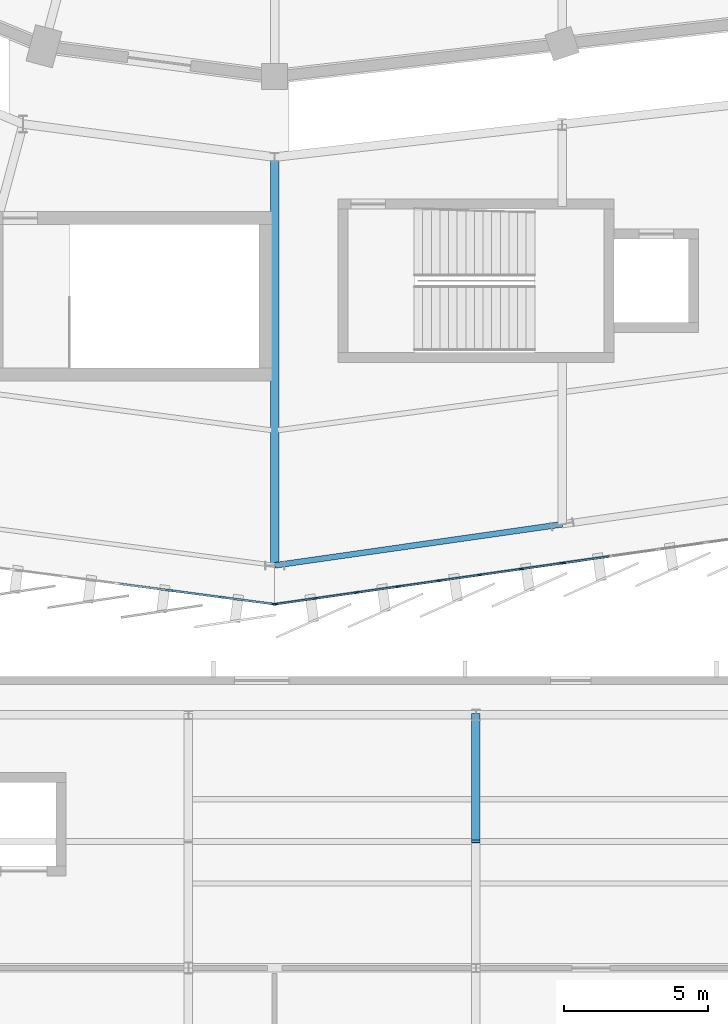
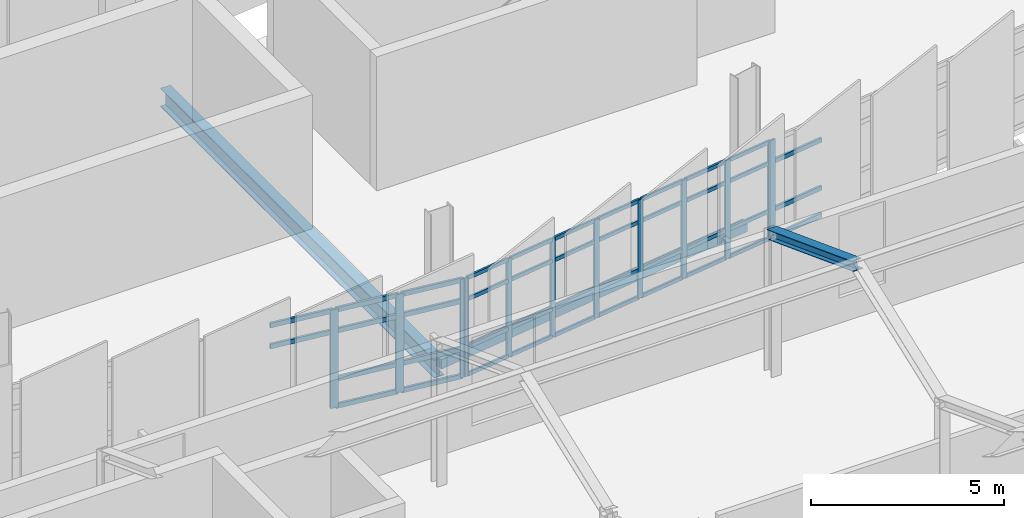
# One storey, part 20 of 87: 53 members, 3 beams, 3 elements without a shape of their own.
"""IFC4 building model written with IfcOpenShell, lengths in metres."""

from ifc_helpers import new_model, si_unit, direction, frame, origin, origin_2d, place, context, subcontext, project, spatial, rectangle, hollow_rectangle, i_section, extrude, material, layer, layer_set, material_profile, profile_set, type_object, element, aggregate, save


model = new_model("IFC4")

# Units and contexts
model_context = context("Model", 3, precision=1e-05, world=origin(), true_north=direction((0.0, 1.0)))
body_context = subcontext(model_context, "Body", "Model", "MODEL_VIEW")
ifc_project = project(units=[si_unit("LENGTHUNIT", "METRE"), si_unit("AREAUNIT", "SQUARE_METRE"), si_unit("VOLUMEUNIT", "CUBIC_METRE"), si_unit("PLANEANGLEUNIT", "RADIAN"), si_unit("MASSUNIT", "GRAM", prefix="KILO")], contexts=[model_context])

# Site, building, storey
site_placement = place(None, origin())
site = spatial("IfcSite", under=ifc_project, at=site_placement, CompositionType="ELEMENT")
building_placement = place(site_placement, origin())
building = spatial("IfcBuilding", under=site, at=building_placement, Name="Sohan Crest Arena", CompositionType="ELEMENT")
storey_placement = place(building_placement, frame((0.0, 0.0, 18.0)))
storey = spatial("IfcBuildingStorey", under=building, at=storey_placement, Name="L04", CompositionType="ELEMENT", Elevation=18.0)

# Curtain wall, members
ifc_material_1 = material(Name="Thermally broken anodised aluminium", Category="aluminium")
ifc_layer_1 = layer(ifc_material_1, 0.179931640625, Name="Thermally broken anodised aluminium")
ifc_layer_set_1 = layer_set([ifc_layer_1], Name="Thermally broken anodised aluminium")
curtain_wall_type_1 = type_object("IfcCurtainWallType", Name="ARC-CW01", PredefinedType="NOTDEFINED", material=ifc_layer_set_1)
curtain_wall_1_placement = place(storey_placement, origin())
curtain_wall_1 = element("IfcCurtainWall", 1, at=curtain_wall_1_placement, inside=storey, type_object=curtain_wall_type_1, Name="Unitised curtain wall CW-124", PredefinedType="NOTDEFINED")
ifc_material_profile_1 = material_profile(ifc_material_1, rectangle(XDim=0.06005859375, YDim=0.159912109375, at=origin_2d()), Name="ALU-MULL 60x160")
ifc_profile_set_1 = profile_set([ifc_material_profile_1], Name="Thermally broken anodised aluminium")
member_type_1 = type_object("IfcMemberType", Name="ARC-CW-ML01", PredefinedType="MULLION", material=ifc_profile_set_1)
member_1_placement = place(storey_placement, frame((98.02978515625, 28.654296875, 0.0), z_axis=(0.0, 0.0, 1.0), x_axis=(-0.141462933734, 0.989943553128, 0.0)))
member_1 = element("IfcMember", 2, at=member_1_placement, type_object=member_type_1, Name="CW-124 mullion 1", PredefinedType="MULLION", context=body_context, shape_type="SweptSolid", body=[
    extrude(rectangle(XDim=0.06005859375, YDim=0.159912109375, at=origin_2d()), origin(), (0.0, 0.0, 1.0), 3.1201171875),
])
member_2_placement = place(storey_placement, frame((99.428466796875, 28.854248046875, 0.0), z_axis=(0.0, 0.0, 1.0), x_axis=(-0.141462933734, 0.989943553128, 0.0)))
member_2 = element("IfcMember", 3, at=member_2_placement, type_object=member_type_1, Name="CW-124 mullion 2", PredefinedType="MULLION", context=body_context, shape_type="SweptSolid", body=[
    extrude(rectangle(XDim=0.06005859375, YDim=0.159912109375, at=origin_2d()), origin(), (0.0, 0.0, 1.0), 3.1201171875),
])
member_3_placement = place(storey_placement, frame((100.857177734375, 29.058349609375, 0.0), z_axis=(0.0, 0.0, 1.0), x_axis=(-0.141462933734, 0.989943553128, 0.0)))
member_3 = element("IfcMember", 4, at=member_3_placement, type_object=member_type_1, Name="CW-124 mullion 3", PredefinedType="MULLION", context=body_context, shape_type="SweptSolid", body=[
    extrude(rectangle(XDim=0.06005859375, YDim=0.159912109375, at=origin_2d()), origin(), (0.0, 0.0, 1.0), 3.1201171875),
])
member_4_placement = place(storey_placement, frame((102.28564453125, 29.262451171875, 0.0), z_axis=(0.0, 0.0, 1.0), x_axis=(-0.141462933734, 0.989943553128, 0.0)))
member_4 = element("IfcMember", 5, at=member_4_placement, type_object=member_type_1, Name="CW-124 mullion 4", PredefinedType="MULLION", context=body_context, shape_type="SweptSolid", body=[
    extrude(rectangle(XDim=0.06005859375, YDim=0.159912109375, at=origin_2d()), origin(), (0.0, 0.0, 1.0), 3.1201171875),
])
member_5_placement = place(storey_placement, frame((103.71435546875, 29.466552734375, 0.0), z_axis=(0.0, 0.0, 1.0), x_axis=(-0.141462933734, 0.989943553128, 0.0)))
member_5 = element("IfcMember", 6, at=member_5_placement, type_object=member_type_1, Name="CW-124 mullion 5", PredefinedType="MULLION", context=body_context, shape_type="SweptSolid", body=[
    extrude(rectangle(XDim=0.06005859375, YDim=0.159912109375, at=origin_2d()), origin(), (0.0, 0.0, 1.0), 3.1201171875),
])
member_6_placement = place(storey_placement, frame((105.142822265625, 29.670654296875, 0.0), z_axis=(0.0, 0.0, 1.0), x_axis=(-0.141462933734, 0.989943553128, 0.0)))
member_6 = element("IfcMember", 7, at=member_6_placement, type_object=member_type_1, Name="CW-124 mullion 6", PredefinedType="MULLION", context=body_context, shape_type="SweptSolid", body=[
    extrude(rectangle(XDim=0.06005859375, YDim=0.159912109375, at=origin_2d()), origin(), (0.0, 0.0, 1.0), 3.1201171875),
])
member_7_placement = place(storey_placement, frame((106.571533203125, 29.874755859375, 0.0), z_axis=(0.0, 0.0, 1.0), x_axis=(-0.141462933734, 0.989943553128, 0.0)))
member_7 = element("IfcMember", 8, at=member_7_placement, type_object=member_type_1, Name="CW-124 mullion 7", PredefinedType="MULLION", context=body_context, shape_type="SweptSolid", body=[
    extrude(rectangle(XDim=0.06005859375, YDim=0.159912109375, at=origin_2d()), origin(), (0.0, 0.0, 1.0), 3.1201171875),
])
member_8_placement = place(storey_placement, frame((107.97021484375, 30.07470703125, 0.0), z_axis=(0.0, 0.0, 1.0), x_axis=(-0.141462933734, 0.989943553128, 0.0)))
member_8 = element("IfcMember", 9, at=member_8_placement, type_object=member_type_1, Name="CW-124 mullion 8", PredefinedType="MULLION", context=body_context, shape_type="SweptSolid", body=[
    extrude(rectangle(XDim=0.06005859375, YDim=0.159912109375, at=origin_2d()), origin(), (0.0, 0.0, 1.0), 3.1201171875),
])

# Curtain wall, member
ifc_layer_2 = layer(ifc_material_1, 0.199951171875, Name="Thermally broken anodised aluminium")
ifc_layer_set_2 = layer_set([ifc_layer_2], Name="Thermally broken anodised aluminium")
curtain_wall_type_2 = type_object("IfcCurtainWallType", Name="ARC-CW02", PredefinedType="NOTDEFINED", material=ifc_layer_set_2)
curtain_wall_2_placement = place(storey_placement, origin())
curtain_wall_2 = element("IfcCurtainWall", 10, at=curtain_wall_2_placement, inside=storey, type_object=curtain_wall_type_2, Name="Unitised curtain wall CW-125", PredefinedType="NOTDEFINED")
ifc_material_profile_2 = material_profile(ifc_material_1, rectangle(XDim=0.06494140625, YDim=0.179931640625, at=origin_2d()), Name="ALU-MULL 65x180")
ifc_profile_set_2 = profile_set([ifc_material_profile_2], Name="Thermally broken anodised aluminium")
member_type_2 = type_object("IfcMemberType", Name="ARC-CW-ML02", PredefinedType="MULLION", material=ifc_profile_set_2)
member_9_placement = place(storey_placement, frame((108.0322265625, 30.08349609375, 0.0), z_axis=(0.0, 0.0, 1.0), x_axis=(-0.141365918403, 0.989957411768, 0.0)))
member_9 = element("IfcMember", 11, at=member_9_placement, type_object=member_type_2, Name="CW-125 mullion 1", PredefinedType="MULLION", context=body_context, shape_type="SweptSolid", body=[
    extrude(rectangle(XDim=0.06494140625, YDim=0.179931640625, at=origin_2d()), origin(), (0.0, 0.0, 1.0), 3.1201171875),
])

# Curtain wall, members
ifc_layer_3 = layer(ifc_material_1, 0.2099609375, Name="Thermally broken anodised aluminium")
ifc_layer_set_3 = layer_set([ifc_layer_3], Name="Thermally broken anodised aluminium")
curtain_wall_type_3 = type_object("IfcCurtainWallType", Name="ARC-CW06", PredefinedType="NOTDEFINED", material=ifc_layer_set_3)
curtain_wall_3_placement = place(storey_placement, origin())
curtain_wall_3 = element("IfcCurtainWall", 12, at=curtain_wall_3_placement, inside=storey, type_object=curtain_wall_type_3, Name="Unitised curtain wall CW-123", PredefinedType="NOTDEFINED")
ifc_material_profile_3 = material_profile(ifc_material_1, rectangle(XDim=0.074951171875, YDim=0.219970703125, at=origin_2d()), Name="ALU-MULL 75x220")
ifc_profile_set_3 = profile_set([ifc_material_profile_3], Name="Thermally broken anodised aluminium")
member_type_3 = type_object("IfcMemberType", Name="ARC-CW-ML04", PredefinedType="MULLION", material=ifc_profile_set_3)
member_10_placement = place(storey_placement, frame((94.3505859375, 29.130615234375, 0.0), z_axis=(0.0, 0.0, 1.0), x_axis=(0.130556913275, 0.991440816386, 0.0)))
member_10 = element("IfcMember", 13, at=member_10_placement, type_object=member_type_3, Name="CW-123 mullion 6", PredefinedType="MULLION", context=body_context, shape_type="SweptSolid", body=[
    extrude(rectangle(XDim=0.074951171875, YDim=0.219970703125, at=origin_2d()), origin(), (0.0, 0.0, 1.0), 3.1201171875),
])
member_11_placement = place(storey_placement, frame((96.17529296875, 28.890380859375, 0.0), z_axis=(0.0, 0.0, 1.0), x_axis=(0.130556913275, 0.991440816386, 0.0)))
member_11 = element("IfcMember", 14, at=member_11_placement, type_object=member_type_3, Name="CW-123 mullion 7", PredefinedType="MULLION", context=body_context, shape_type="SweptSolid", body=[
    extrude(rectangle(XDim=0.074951171875, YDim=0.219970703125, at=origin_2d()), origin(), (0.0, 0.0, 1.0), 3.1201171875),
])
member_12_placement = place(storey_placement, frame((97.962890625, 28.65478515625, 0.0), z_axis=(0.0, 0.0, 1.0), x_axis=(0.130556913275, 0.991440816386, 0.0)))
member_12 = element("IfcMember", 15, at=member_12_placement, type_object=member_type_3, Name="CW-123 mullion 8", PredefinedType="MULLION", context=body_context, shape_type="SweptSolid", body=[
    extrude(rectangle(XDim=0.074951171875, YDim=0.219970703125, at=origin_2d()), origin(), (0.0, 0.0, 1.0), 3.1201171875),
])

# Member
ifc_material_profile_4 = material_profile(ifc_material_1, rectangle(XDim=0.06005859375, YDim=0.1201171875, at=origin_2d()), Name="ALU-TRAN 60x120")
ifc_profile_set_4 = profile_set([ifc_material_profile_4], Name="Thermally broken anodised aluminium")
member_type_4 = type_object("IfcMemberType", Name="ARC-CW-TR01", PredefinedType="USERDEFINED", material=ifc_profile_set_4)
member_13_placement = place(storey_placement, frame((98.059326171875, 28.658447265625, 0.030029296875), z_axis=(0.989945885007, 0.141446614515, 0.0), x_axis=(-0.141446614515, 0.989945885007, 0.0)))
member_13 = element("IfcMember", 16, at=member_13_placement, type_object=member_type_4, Name="CW-124 transom 1.1", ObjectType="TRANSOM", PredefinedType="USERDEFINED", context=body_context, shape_type="SweptSolid", body=[
    extrude(rectangle(XDim=0.06005859375, YDim=0.1201171875, at=origin_2d()), origin(), (0.0, 0.0, 1.0), 1.353271484375),
])

member_14_placement = place(storey_placement, frame((98.059326171875, 28.658447265625, 0.89990234375), z_axis=(0.989945885007, 0.141446614515, 0.0), x_axis=(-0.141446614515, 0.989945885007, 0.0)))
member_14 = element("IfcMember", 17, at=member_14_placement, type_object=member_type_4, Name="CW-124 transom 1.2", ObjectType="TRANSOM", PredefinedType="USERDEFINED", context=body_context, shape_type="SweptSolid", body=[
    extrude(rectangle(XDim=0.06005859375, YDim=0.1201171875, at=origin_2d()), origin(), (0.0, 0.0, 1.0), 1.353271484375),
])

member_15_placement = place(storey_placement, frame((98.059326171875, 28.658447265625, 2.419921875), z_axis=(0.989945885007, 0.141446614515, 0.0), x_axis=(-0.141446614515, 0.989945885007, 0.0)))
member_15 = element("IfcMember", 18, at=member_15_placement, type_object=member_type_4, Name="CW-124 transom 1.3", ObjectType="TRANSOM", PredefinedType="USERDEFINED", context=body_context, shape_type="SweptSolid", body=[
    extrude(rectangle(XDim=0.06005859375, YDim=0.1201171875, at=origin_2d()), origin(), (0.0, 0.0, 1.0), 1.353271484375),
])

member_16_placement = place(storey_placement, frame((98.059326171875, 28.658447265625, 3.090087890625), z_axis=(0.989945885007, 0.141446614515, 0.0), x_axis=(-0.141446614515, 0.989945885007, 0.0)))
member_16 = element("IfcMember", 19, at=member_16_placement, type_object=member_type_4, Name="CW-124 transom 1.4", ObjectType="TRANSOM", PredefinedType="USERDEFINED", context=body_context, shape_type="SweptSolid", body=[
    extrude(rectangle(XDim=0.06005859375, YDim=0.1201171875, at=origin_2d()), origin(), (0.0, 0.0, 1.0), 1.353271484375),
])

member_17_placement = place(storey_placement, frame((99.458251953125, 28.8583984375, 0.030029296875), z_axis=(0.989953023856, 0.141396642673, 0.0), x_axis=(-0.141396642673, 0.989953023856, 0.0)))
member_17 = element("IfcMember", 20, at=member_17_placement, type_object=member_type_4, Name="CW-124 transom 2.1", ObjectType="TRANSOM", PredefinedType="USERDEFINED", context=body_context, shape_type="SweptSolid", body=[
    extrude(rectangle(XDim=0.06005859375, YDim=0.1201171875, at=origin_2d()), origin(), (0.0, 0.0, 1.0), 1.383056640625),
])

member_18_placement = place(storey_placement, frame((99.458251953125, 28.8583984375, 0.89990234375), z_axis=(0.989953023856, 0.141396642673, 0.0), x_axis=(-0.141396642673, 0.989953023856, 0.0)))
member_18 = element("IfcMember", 21, at=member_18_placement, type_object=member_type_4, Name="CW-124 transom 2.2", ObjectType="TRANSOM", PredefinedType="USERDEFINED", context=body_context, shape_type="SweptSolid", body=[
    extrude(rectangle(XDim=0.06005859375, YDim=0.1201171875, at=origin_2d()), origin(), (0.0, 0.0, 1.0), 1.383056640625),
])

member_19_placement = place(storey_placement, frame((99.458251953125, 28.8583984375, 2.419921875), z_axis=(0.989953023856, 0.141396642673, 0.0), x_axis=(-0.141396642673, 0.989953023856, 0.0)))
member_19 = element("IfcMember", 22, at=member_19_placement, type_object=member_type_4, Name="CW-124 transom 2.3", ObjectType="TRANSOM", PredefinedType="USERDEFINED", context=body_context, shape_type="SweptSolid", body=[
    extrude(rectangle(XDim=0.06005859375, YDim=0.1201171875, at=origin_2d()), origin(), (0.0, 0.0, 1.0), 1.383056640625),
])

member_20_placement = place(storey_placement, frame((99.458251953125, 28.8583984375, 3.090087890625), z_axis=(0.989953023856, 0.141396642673, 0.0), x_axis=(-0.141396642673, 0.989953023856, 0.0)))
member_20 = element("IfcMember", 23, at=member_20_placement, type_object=member_type_4, Name="CW-124 transom 2.4", ObjectType="TRANSOM", PredefinedType="USERDEFINED", context=body_context, shape_type="SweptSolid", body=[
    extrude(rectangle(XDim=0.06005859375, YDim=0.1201171875, at=origin_2d()), origin(), (0.0, 0.0, 1.0), 1.383056640625),
])

member_21_placement = place(storey_placement, frame((100.886962890625, 29.0625, 0.030029296875), z_axis=(0.989928300068, 0.141569632071, 0.0), x_axis=(-0.141569632071, 0.989928300068, 0.0)))
member_21 = element("IfcMember", 24, at=member_21_placement, type_object=member_type_4, Name="CW-124 transom 3.1", ObjectType="TRANSOM", PredefinedType="USERDEFINED", context=body_context, shape_type="SweptSolid", body=[
    extrude(rectangle(XDim=0.06005859375, YDim=0.1201171875, at=origin_2d()), origin(), (0.0, 0.0, 1.0), 1.383056640625),
])

member_22_placement = place(storey_placement, frame((100.886962890625, 29.0625, 0.89990234375), z_axis=(0.989928300068, 0.141569632071, 0.0), x_axis=(-0.141569632071, 0.989928300068, 0.0)))
member_22 = element("IfcMember", 25, at=member_22_placement, type_object=member_type_4, Name="CW-124 transom 3.2", ObjectType="TRANSOM", PredefinedType="USERDEFINED", context=body_context, shape_type="SweptSolid", body=[
    extrude(rectangle(XDim=0.06005859375, YDim=0.1201171875, at=origin_2d()), origin(), (0.0, 0.0, 1.0), 1.383056640625),
])

member_23_placement = place(storey_placement, frame((100.886962890625, 29.0625, 2.419921875), z_axis=(0.989928300068, 0.141569632071, 0.0), x_axis=(-0.141569632071, 0.989928300068, 0.0)))
member_23 = element("IfcMember", 26, at=member_23_placement, type_object=member_type_4, Name="CW-124 transom 3.3", ObjectType="TRANSOM", PredefinedType="USERDEFINED", context=body_context, shape_type="SweptSolid", body=[
    extrude(rectangle(XDim=0.06005859375, YDim=0.1201171875, at=origin_2d()), origin(), (0.0, 0.0, 1.0), 1.383056640625),
])

member_24_placement = place(storey_placement, frame((100.886962890625, 29.0625, 3.090087890625), z_axis=(0.989928300068, 0.141569632071, 0.0), x_axis=(-0.141569632071, 0.989928300068, 0.0)))
member_24 = element("IfcMember", 27, at=member_24_placement, type_object=member_type_4, Name="CW-124 transom 3.4", ObjectType="TRANSOM", PredefinedType="USERDEFINED", context=body_context, shape_type="SweptSolid", body=[
    extrude(rectangle(XDim=0.06005859375, YDim=0.1201171875, at=origin_2d()), origin(), (0.0, 0.0, 1.0), 1.383056640625),
])

member_25_placement = place(storey_placement, frame((102.3154296875, 29.2666015625, 0.030029296875), z_axis=(0.989928300068, 0.141569632071, 0.0), x_axis=(-0.141569632071, 0.989928300068, 0.0)))
member_25 = element("IfcMember", 28, at=member_25_placement, type_object=member_type_4, Name="CW-124 transom 4.1", ObjectType="TRANSOM", PredefinedType="USERDEFINED", context=body_context, shape_type="SweptSolid", body=[
    extrude(rectangle(XDim=0.06005859375, YDim=0.1201171875, at=origin_2d()), origin(), (0.0, 0.0, 1.0), 1.383056640625),
])

member_26_placement = place(storey_placement, frame((102.3154296875, 29.2666015625, 0.89990234375), z_axis=(0.989928300068, 0.141569632071, 0.0), x_axis=(-0.141569632071, 0.989928300068, 0.0)))
member_26 = element("IfcMember", 29, at=member_26_placement, type_object=member_type_4, Name="CW-124 transom 4.2", ObjectType="TRANSOM", PredefinedType="USERDEFINED", context=body_context, shape_type="SweptSolid", body=[
    extrude(rectangle(XDim=0.06005859375, YDim=0.1201171875, at=origin_2d()), origin(), (0.0, 0.0, 1.0), 1.383056640625),
])

member_27_placement = place(storey_placement, frame((102.3154296875, 29.2666015625, 2.419921875), z_axis=(0.989928300068, 0.141569632071, 0.0), x_axis=(-0.141569632071, 0.989928300068, 0.0)))
member_27 = element("IfcMember", 30, at=member_27_placement, type_object=member_type_4, Name="CW-124 transom 4.3", ObjectType="TRANSOM", PredefinedType="USERDEFINED", context=body_context, shape_type="SweptSolid", body=[
    extrude(rectangle(XDim=0.06005859375, YDim=0.1201171875, at=origin_2d()), origin(), (0.0, 0.0, 1.0), 1.383056640625),
])

member_28_placement = place(storey_placement, frame((102.3154296875, 29.2666015625, 3.090087890625), z_axis=(0.989928300068, 0.141569632071, 0.0), x_axis=(-0.141569632071, 0.989928300068, 0.0)))
member_28 = element("IfcMember", 31, at=member_28_placement, type_object=member_type_4, Name="CW-124 transom 4.4", ObjectType="TRANSOM", PredefinedType="USERDEFINED", context=body_context, shape_type="SweptSolid", body=[
    extrude(rectangle(XDim=0.06005859375, YDim=0.1201171875, at=origin_2d()), origin(), (0.0, 0.0, 1.0), 1.383056640625),
])

member_29_placement = place(storey_placement, frame((103.743896484375, 29.470703125, 0.030029296875), z_axis=(0.989928300068, 0.141569632071, 0.0), x_axis=(-0.141569632071, 0.989928300068, 0.0)))
member_29 = element("IfcMember", 32, at=member_29_placement, type_object=member_type_4, Name="CW-124 transom 5.1", ObjectType="TRANSOM", PredefinedType="USERDEFINED", context=body_context, shape_type="SweptSolid", body=[
    extrude(rectangle(XDim=0.06005859375, YDim=0.1201171875, at=origin_2d()), origin(), (0.0, 0.0, 1.0), 1.383056640625),
])

member_30_placement = place(storey_placement, frame((103.743896484375, 29.470703125, 0.89990234375), z_axis=(0.989928300068, 0.141569632071, 0.0), x_axis=(-0.141569632071, 0.989928300068, 0.0)))
member_30 = element("IfcMember", 33, at=member_30_placement, type_object=member_type_4, Name="CW-124 transom 5.2", ObjectType="TRANSOM", PredefinedType="USERDEFINED", context=body_context, shape_type="SweptSolid", body=[
    extrude(rectangle(XDim=0.06005859375, YDim=0.1201171875, at=origin_2d()), origin(), (0.0, 0.0, 1.0), 1.383056640625),
])

member_31_placement = place(storey_placement, frame((103.743896484375, 29.470703125, 2.419921875), z_axis=(0.989928300068, 0.141569632071, 0.0), x_axis=(-0.141569632071, 0.989928300068, 0.0)))
member_31 = element("IfcMember", 34, at=member_31_placement, type_object=member_type_4, Name="CW-124 transom 5.3", ObjectType="TRANSOM", PredefinedType="USERDEFINED", context=body_context, shape_type="SweptSolid", body=[
    extrude(rectangle(XDim=0.06005859375, YDim=0.1201171875, at=origin_2d()), origin(), (0.0, 0.0, 1.0), 1.383056640625),
])

member_32_placement = place(storey_placement, frame((103.743896484375, 29.470703125, 3.090087890625), z_axis=(0.989928300068, 0.141569632071, 0.0), x_axis=(-0.141569632071, 0.989928300068, 0.0)))
member_32 = element("IfcMember", 35, at=member_32_placement, type_object=member_type_4, Name="CW-124 transom 5.4", ObjectType="TRANSOM", PredefinedType="USERDEFINED", context=body_context, shape_type="SweptSolid", body=[
    extrude(rectangle(XDim=0.06005859375, YDim=0.1201171875, at=origin_2d()), origin(), (0.0, 0.0, 1.0), 1.383056640625),
])

member_33_placement = place(storey_placement, frame((105.172607421875, 29.675048828125, 0.030029296875), z_axis=(0.989953023856, 0.141396642673, 0.0), x_axis=(-0.141396642673, 0.989953023856, 0.0)))
member_33 = element("IfcMember", 36, at=member_33_placement, type_object=member_type_4, Name="CW-124 transom 6.1", ObjectType="TRANSOM", PredefinedType="USERDEFINED", context=body_context, shape_type="SweptSolid", body=[
    extrude(rectangle(XDim=0.06005859375, YDim=0.1201171875, at=origin_2d()), origin(), (0.0, 0.0, 1.0), 1.383056640625),
])

member_34_placement = place(storey_placement, frame((105.172607421875, 29.675048828125, 0.89990234375), z_axis=(0.989953023856, 0.141396642673, 0.0), x_axis=(-0.141396642673, 0.989953023856, 0.0)))
member_34 = element("IfcMember", 37, at=member_34_placement, type_object=member_type_4, Name="CW-124 transom 6.2", ObjectType="TRANSOM", PredefinedType="USERDEFINED", context=body_context, shape_type="SweptSolid", body=[
    extrude(rectangle(XDim=0.06005859375, YDim=0.1201171875, at=origin_2d()), origin(), (0.0, 0.0, 1.0), 1.383056640625),
])

member_35_placement = place(storey_placement, frame((105.172607421875, 29.675048828125, 2.419921875), z_axis=(0.989953023856, 0.141396642673, 0.0), x_axis=(-0.141396642673, 0.989953023856, 0.0)))
member_35 = element("IfcMember", 38, at=member_35_placement, type_object=member_type_4, Name="CW-124 transom 6.3", ObjectType="TRANSOM", PredefinedType="USERDEFINED", context=body_context, shape_type="SweptSolid", body=[
    extrude(rectangle(XDim=0.06005859375, YDim=0.1201171875, at=origin_2d()), origin(), (0.0, 0.0, 1.0), 1.383056640625),
])

member_36_placement = place(storey_placement, frame((105.172607421875, 29.675048828125, 3.090087890625), z_axis=(0.989953023856, 0.141396642673, 0.0), x_axis=(-0.141396642673, 0.989953023856, 0.0)))
member_36 = element("IfcMember", 39, at=member_36_placement, type_object=member_type_4, Name="CW-124 transom 6.4", ObjectType="TRANSOM", PredefinedType="USERDEFINED", context=body_context, shape_type="SweptSolid", body=[
    extrude(rectangle(XDim=0.06005859375, YDim=0.1201171875, at=origin_2d()), origin(), (0.0, 0.0, 1.0), 1.383056640625),
])

member_37_placement = place(storey_placement, frame((106.60107421875, 29.879150390625, 0.030029296875), z_axis=(0.989945885007, 0.141446614515, 0.0), x_axis=(-0.141446614515, 0.989945885007, 0.0)))
member_37 = element("IfcMember", 40, at=member_37_placement, type_object=member_type_4, Name="CW-124 transom 7.1", ObjectType="TRANSOM", PredefinedType="USERDEFINED", context=body_context, shape_type="SweptSolid", body=[
    extrude(rectangle(XDim=0.06005859375, YDim=0.1201171875, at=origin_2d()), origin(), (0.0, 0.0, 1.0), 1.353271484375),
])

member_38_placement = place(storey_placement, frame((106.60107421875, 29.879150390625, 0.89990234375), z_axis=(0.989945885007, 0.141446614515, 0.0), x_axis=(-0.141446614515, 0.989945885007, 0.0)))
member_38 = element("IfcMember", 41, at=member_38_placement, type_object=member_type_4, Name="CW-124 transom 7.2", ObjectType="TRANSOM", PredefinedType="USERDEFINED", context=body_context, shape_type="SweptSolid", body=[
    extrude(rectangle(XDim=0.06005859375, YDim=0.1201171875, at=origin_2d()), origin(), (0.0, 0.0, 1.0), 1.353271484375),
])

member_39_placement = place(storey_placement, frame((106.60107421875, 29.879150390625, 2.419921875), z_axis=(0.989945885007, 0.141446614515, 0.0), x_axis=(-0.141446614515, 0.989945885007, 0.0)))
member_39 = element("IfcMember", 42, at=member_39_placement, type_object=member_type_4, Name="CW-124 transom 7.3", ObjectType="TRANSOM", PredefinedType="USERDEFINED", context=body_context, shape_type="SweptSolid", body=[
    extrude(rectangle(XDim=0.06005859375, YDim=0.1201171875, at=origin_2d()), origin(), (0.0, 0.0, 1.0), 1.353271484375),
])

member_40_placement = place(storey_placement, frame((106.60107421875, 29.879150390625, 3.090087890625), z_axis=(0.989945885007, 0.141446614515, 0.0), x_axis=(-0.141446614515, 0.989945885007, 0.0)))
member_40 = element("IfcMember", 43, at=member_40_placement, type_object=member_type_4, Name="CW-124 transom 7.4", ObjectType="TRANSOM", PredefinedType="USERDEFINED", context=body_context, shape_type="SweptSolid", body=[
    extrude(rectangle(XDim=0.06005859375, YDim=0.1201171875, at=origin_2d()), origin(), (0.0, 0.0, 1.0), 1.353271484375),
])

aggregate(curtain_wall_1, [member_1, member_2, member_3, member_4, member_5, member_6, member_7, member_8, member_13, member_14, member_15, member_16, member_17, member_18, member_19, member_20, member_21, member_22, member_23, member_24, member_25, member_26, member_27, member_28, member_29, member_30, member_31, member_32, member_33, member_34, member_35, member_36, member_37, member_38, member_39, member_40])

ifc_material_profile_5 = material_profile(ifc_material_1, rectangle(XDim=0.06494140625, YDim=0.139892578125, at=origin_2d()), Name="ALU-TRAN 65x140")
ifc_profile_set_5 = profile_set([ifc_material_profile_5], Name="Thermally broken anodised aluminium")
member_type_5 = type_object("IfcMemberType", Name="ARC-CW-TR02", PredefinedType="USERDEFINED", material=ifc_profile_set_5)
member_41_placement = place(storey_placement, frame((108.064453125, 30.088134765625, 0.032470703125), z_axis=(0.989943335402, 0.141464457353, 0.0), x_axis=(-0.141464457353, 0.989943335402, 0.0)))
member_41 = element("IfcMember", 44, at=member_41_placement, type_object=member_type_5, Name="CW-125 transom 1.1", ObjectType="TRANSOM", PredefinedType="USERDEFINED", context=body_context, shape_type="SweptSolid", body=[
    extrude(rectangle(XDim=0.06494140625, YDim=0.139892578125, at=origin_2d()), origin(), (0.0, 0.0, 1.0), 1.5859375),
])

member_42_placement = place(storey_placement, frame((108.064453125, 30.088134765625, 0.89990234375), z_axis=(0.989943335402, 0.141464457353, 0.0), x_axis=(-0.141464457353, 0.989943335402, 0.0)))
member_42 = element("IfcMember", 45, at=member_42_placement, type_object=member_type_5, Name="CW-125 transom 1.2", ObjectType="TRANSOM", PredefinedType="USERDEFINED", context=body_context, shape_type="SweptSolid", body=[
    extrude(rectangle(XDim=0.06494140625, YDim=0.139892578125, at=origin_2d()), origin(), (0.0, 0.0, 1.0), 1.5859375),
])

member_43_placement = place(storey_placement, frame((108.064453125, 30.088134765625, 2.419921875), z_axis=(0.989943335402, 0.141464457353, 0.0), x_axis=(-0.141464457353, 0.989943335402, 0.0)))
member_43 = element("IfcMember", 46, at=member_43_placement, type_object=member_type_5, Name="CW-125 transom 1.3", ObjectType="TRANSOM", PredefinedType="USERDEFINED", context=body_context, shape_type="SweptSolid", body=[
    extrude(rectangle(XDim=0.06494140625, YDim=0.139892578125, at=origin_2d()), origin(), (0.0, 0.0, 1.0), 1.5859375),
])

aggregate(curtain_wall_2, [member_9, member_41, member_42, member_43])

ifc_material_profile_6 = material_profile(ifc_material_1, rectangle(XDim=0.070068359375, YDim=0.14990234375, at=origin_2d()), Name="ALU-TRAN 70x150")
ifc_profile_set_6 = profile_set([ifc_material_profile_6], Name="Thermally broken anodised aluminium")
member_type_6 = type_object("IfcMemberType", Name="ARC-CW-TR03", PredefinedType="USERDEFINED", material=ifc_profile_set_6)
member_44_placement = place(storey_placement, frame((92.56298828125, 29.365966796875, 2.419921875), z_axis=(0.99144393814, -0.130533204687, 0.0), x_axis=(0.130533204687, 0.99144393814, 0.0)))
member_44 = element("IfcMember", 47, at=member_44_placement, type_object=member_type_6, Name="CW-123 transom 5.3", ObjectType="TRANSOM", PredefinedType="USERDEFINED", context=body_context, shape_type="SweptSolid", body=[
    extrude(rectangle(XDim=0.070068359375, YDim=0.14990234375, at=origin_2d()), origin(), (0.0, 0.0, 1.0), 1.765625),
])

member_45_placement = place(storey_placement, frame((92.56298828125, 29.365966796875, 3.0849609375), z_axis=(0.99144393814, -0.130533204687, 0.0), x_axis=(0.130533204687, 0.99144393814, 0.0)))
member_45 = element("IfcMember", 48, at=member_45_placement, type_object=member_type_6, Name="CW-123 transom 5.4", ObjectType="TRANSOM", PredefinedType="USERDEFINED", context=body_context, shape_type="SweptSolid", body=[
    extrude(rectangle(XDim=0.070068359375, YDim=0.14990234375, at=origin_2d()), origin(), (0.0, 0.0, 1.0), 1.765625),
])

member_46_placement = place(storey_placement, frame((94.3876953125, 29.125732421875, 0.034912109375), z_axis=(0.99144393814, -0.130533204687, 0.0), x_axis=(0.130533204687, 0.99144393814, 0.0)))
member_46 = element("IfcMember", 49, at=member_46_placement, type_object=member_type_6, Name="CW-123 transom 6.1", ObjectType="TRANSOM", PredefinedType="USERDEFINED", context=body_context, shape_type="SweptSolid", body=[
    extrude(rectangle(XDim=0.070068359375, YDim=0.14990234375, at=origin_2d()), origin(), (0.0, 0.0, 1.0), 1.765625),
])

member_47_placement = place(storey_placement, frame((94.3876953125, 29.125732421875, 0.89990234375), z_axis=(0.99144393814, -0.130533204687, 0.0), x_axis=(0.130533204687, 0.99144393814, 0.0)))
member_47 = element("IfcMember", 50, at=member_47_placement, type_object=member_type_6, Name="CW-123 transom 6.2", ObjectType="TRANSOM", PredefinedType="USERDEFINED", context=body_context, shape_type="SweptSolid", body=[
    extrude(rectangle(XDim=0.070068359375, YDim=0.14990234375, at=origin_2d()), origin(), (0.0, 0.0, 1.0), 1.765625),
])

member_48_placement = place(storey_placement, frame((94.3876953125, 29.125732421875, 2.419921875), z_axis=(0.99144393814, -0.130533204687, 0.0), x_axis=(0.130533204687, 0.99144393814, 0.0)))
member_48 = element("IfcMember", 51, at=member_48_placement, type_object=member_type_6, Name="CW-123 transom 6.3", ObjectType="TRANSOM", PredefinedType="USERDEFINED", context=body_context, shape_type="SweptSolid", body=[
    extrude(rectangle(XDim=0.070068359375, YDim=0.14990234375, at=origin_2d()), origin(), (0.0, 0.0, 1.0), 1.765625),
])

member_49_placement = place(storey_placement, frame((94.3876953125, 29.125732421875, 3.0849609375), z_axis=(0.99144393814, -0.130533204687, 0.0), x_axis=(0.130533204687, 0.99144393814, 0.0)))
member_49 = element("IfcMember", 52, at=member_49_placement, type_object=member_type_6, Name="CW-123 transom 6.4", ObjectType="TRANSOM", PredefinedType="USERDEFINED", context=body_context, shape_type="SweptSolid", body=[
    extrude(rectangle(XDim=0.070068359375, YDim=0.14990234375, at=origin_2d()), origin(), (0.0, 0.0, 1.0), 1.765625),
])

member_50_placement = place(storey_placement, frame((96.21240234375, 28.885498046875, 0.034912109375), z_axis=(0.991441306063, -0.130553194642, 0.0), x_axis=(0.130553194642, 0.991441306063, 0.0)))
member_50 = element("IfcMember", 53, at=member_50_placement, type_object=member_type_6, Name="CW-123 transom 7.1", ObjectType="TRANSOM", PredefinedType="USERDEFINED", context=body_context, shape_type="SweptSolid", body=[
    extrude(rectangle(XDim=0.070068359375, YDim=0.14990234375, at=origin_2d()), origin(), (0.0, 0.0, 1.0), 1.72802734375),
])

member_51_placement = place(storey_placement, frame((96.21240234375, 28.885498046875, 0.89990234375), z_axis=(0.991441306063, -0.130553194642, 0.0), x_axis=(0.130553194642, 0.991441306063, 0.0)))
member_51 = element("IfcMember", 54, at=member_51_placement, type_object=member_type_6, Name="CW-123 transom 7.2", ObjectType="TRANSOM", PredefinedType="USERDEFINED", context=body_context, shape_type="SweptSolid", body=[
    extrude(rectangle(XDim=0.070068359375, YDim=0.14990234375, at=origin_2d()), origin(), (0.0, 0.0, 1.0), 1.72802734375),
])

member_52_placement = place(storey_placement, frame((96.21240234375, 28.885498046875, 2.419921875), z_axis=(0.991441306063, -0.130553194642, 0.0), x_axis=(0.130553194642, 0.991441306063, 0.0)))
member_52 = element("IfcMember", 55, at=member_52_placement, type_object=member_type_6, Name="CW-123 transom 7.3", ObjectType="TRANSOM", PredefinedType="USERDEFINED", context=body_context, shape_type="SweptSolid", body=[
    extrude(rectangle(XDim=0.070068359375, YDim=0.14990234375, at=origin_2d()), origin(), (0.0, 0.0, 1.0), 1.72802734375),
])

member_53_placement = place(storey_placement, frame((96.21240234375, 28.885498046875, 3.0849609375), z_axis=(0.991441306063, -0.130553194642, 0.0), x_axis=(0.130553194642, 0.991441306063, 0.0)))
member_53 = element("IfcMember", 56, at=member_53_placement, type_object=member_type_6, Name="CW-123 transom 7.4", ObjectType="TRANSOM", PredefinedType="USERDEFINED", context=body_context, shape_type="SweptSolid", body=[
    extrude(rectangle(XDim=0.070068359375, YDim=0.14990234375, at=origin_2d()), origin(), (0.0, 0.0, 1.0), 1.72802734375),
])

aggregate(curtain_wall_3, [member_10, member_11, member_12, member_44, member_45, member_46, member_47, member_48, member_49, member_50, member_51, member_52, member_53])

# Beams
ifc_material_2 = material(Name="Steel S355", Category="steel")
ifc_material_profile_7 = material_profile(ifc_material_2, i_section(OverallWidth=0.300048828125, OverallDepth=0.2900390625, WebThickness=0.008544921875, FlangeThickness=0.013916015625, at=origin_2d()), Name="HEA 300")
ifc_profile_set_7 = profile_set([ifc_material_profile_7], Name="Steel S355")
beam_type_1 = type_object("IfcBeamType", Name="STR-BM-B08", PredefinedType="BEAM", material=ifc_profile_set_7)
beam_1_placement = place(storey_placement, frame((105.0, 20.39990234375, 6.080078125), z_axis=(0.0, 0.93562113017, -0.35300580842), x_axis=(-1.0, 0.0, 0.0)))
element("IfcBeam", 57, at=beam_1_placement, inside=storey, type_object=beam_type_1, Name="Structural beam BVA-L04-3222", PredefinedType="BEAM", context=body_context, shape_type="SweptSolid", body=[
    extrude(i_section(OverallWidth=0.300048828125, OverallDepth=0.2900390625, WebThickness=0.008544921875, FlangeThickness=0.013916015625, at=origin_2d()), origin(), (0.0, 0.0, 1.0), 4.702880859375),
])
ifc_material_profile_8 = material_profile(ifc_material_2, i_section(OverallWidth=0.300048828125, OverallDepth=0.590087890625, WebThickness=0.012939453125, FlangeThickness=0.02490234375, at=origin_2d()), Name="HEA 600")
ifc_profile_set_8 = profile_set([ifc_material_profile_8], Name="Steel S355")
beam_type_2 = type_object("IfcBeamType", Name="STR-BM-B11", PredefinedType="BEAM", material=ifc_profile_set_8)
beam_2_placement = place(storey_placement, frame((98.0, 44.199951171875, -0.544921875), z_axis=(0.0, -1.0, 0.0), x_axis=(1.0, 0.0, 0.0)))
element("IfcBeam", 58, at=beam_2_placement, inside=storey, type_object=beam_type_2, Name="Structural beam G-L04-1601", PredefinedType="BEAM", context=body_context, shape_type="SweptSolid", body=[
    extrude(i_section(OverallWidth=0.300048828125, OverallDepth=0.590087890625, WebThickness=0.012939453125, FlangeThickness=0.02490234375, at=origin_2d()), origin(), (0.0, 0.0, 1.0), 14.199951171875),
])
ifc_material_profile_9 = material_profile(ifc_material_2, hollow_rectangle(XDim=0.199951171875, YDim=0.300048828125, WallThickness=0.010009765625, at=origin_2d()), Name="RHS 300x200x10")
ifc_profile_set_9 = profile_set([ifc_material_profile_9], Name="Steel S355")
beam_type_3 = type_object("IfcBeamType", Name="STR-BM-SP03", PredefinedType="SPANDREL", material=ifc_profile_set_9)
beam_3_placement = place(storey_placement, frame((98.0, 30.0, -0.39990234375), z_axis=(0.989944175879, 0.141458575718, 0.0), x_axis=(-0.141458575718, 0.989944175879, 0.0)))
element("IfcBeam", 59, at=beam_3_placement, inside=storey, type_object=beam_type_3, Name="Structural beam SP-L04-1603", PredefinedType="SPANDREL", context=body_context, shape_type="SweptSolid", body=[
    extrude(hollow_rectangle(XDim=0.199951171875, YDim=0.300048828125, WallThickness=0.010009765625, at=origin_2d()), origin(), (0.0, 0.0, 1.0), 10.1015625),
])

save(model, "model.ifc")
